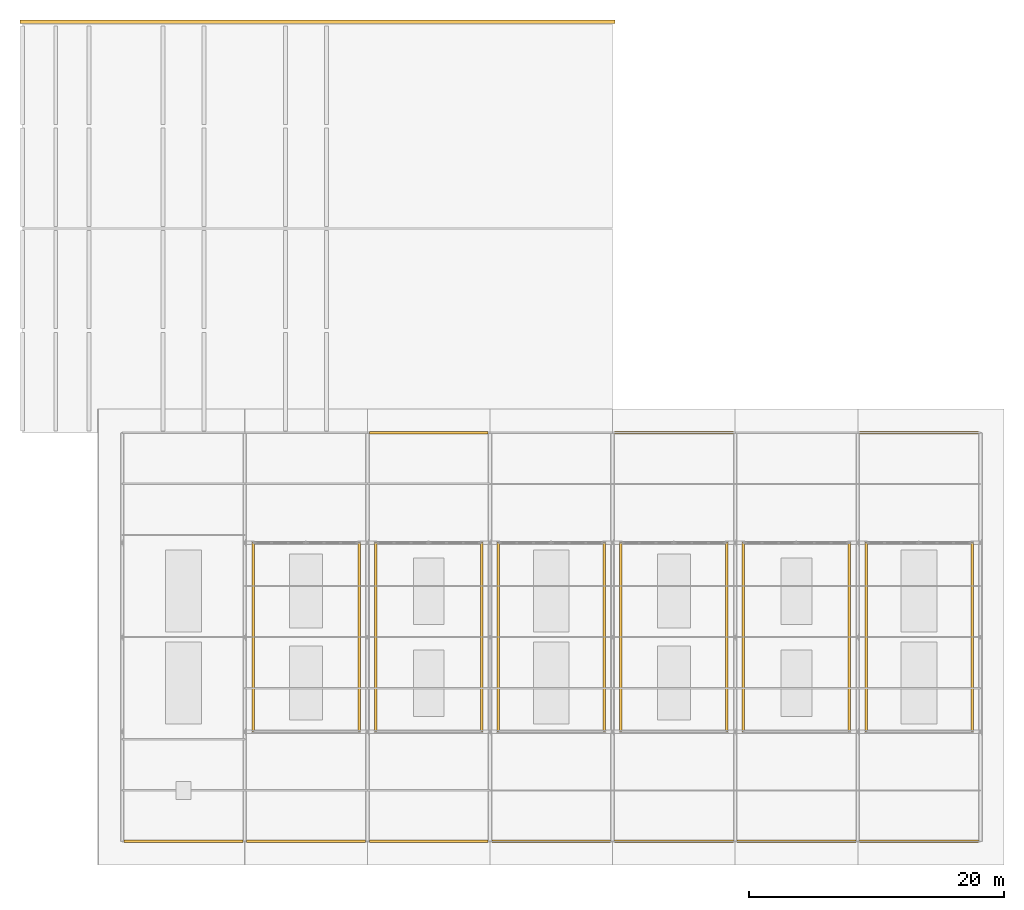
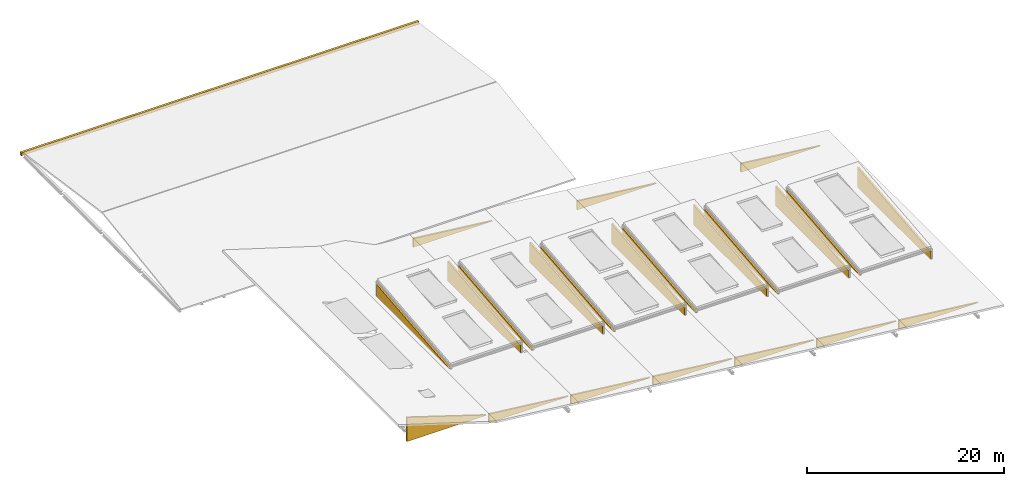
# One storey, part 30 of 30: 23 coverings.
"""IFC4 building model written with IfcOpenShell, lengths in metres."""

from ifc_helpers import new_model, si_unit, direction, frame, frame_2d, origin, place, context, subcontext, project, spatial, polyline, rectangle, outline, extrude, material, layer, layer_set, type_object, element, save


model = new_model("IFC4")

# Units and contexts
model_context = context("Model", 3, precision=1e-05, world=origin(), true_north=direction((0.0, 1.0)))
body_context = subcontext(model_context, "Body", "Model", "MODEL_VIEW")
ifc_project = project(units=[si_unit("LENGTHUNIT", "METRE"), si_unit("AREAUNIT", "SQUARE_METRE"), si_unit("VOLUMEUNIT", "CUBIC_METRE"), si_unit("PLANEANGLEUNIT", "RADIAN"), si_unit("MASSUNIT", "GRAM", prefix="KILO")], contexts=[model_context])

# Site, building, storey
site_placement = place(None, origin())
site = spatial("IfcSite", under=ifc_project, at=site_placement, CompositionType="ELEMENT")
building_placement = place(site_placement, origin())
building = spatial("IfcBuilding", under=site, at=building_placement, Name="Alderhovde Museum", CompositionType="ELEMENT")
storey_placement = place(building_placement, frame((0.0, 0.0, 30.699951171875)))
storey = spatial("IfcBuildingStorey", under=building, at=storey_placement, Name="RF", CompositionType="ELEMENT", Elevation=30.699951171875)

# Coverings
ifc_material_1 = material(Name="Pre-Weathered Dark Zinc Sawtooth Cladding")
ifc_layer_1 = layer(ifc_material_1, 0.199951171875)
ifc_layer_set_1 = layer_set([ifc_layer_1], Name="Pre-Weathered Dark Zinc Sawtooth Cladding")
covering_type_1 = type_object("IfcCoveringType", Name="COV-CHEEK-ZINC", PredefinedType="CLADDING", material=ifc_layer_set_1)
covering_1_placement = place(storey_placement, frame((9.75, 48.0, -1.58984375), z_axis=(0.0, 0.0, 1.0), x_axis=(1.0, 0.0, 0.0)))
element("IfcCovering", 1, at=covering_1_placement, inside=storey, type_object=covering_type_1, Name="Folded Wing Sloped Eaves Cladding 1", PredefinedType="CLADDING", context=body_context, shape_type="SweptSolid", body=[
    extrude(outline(polyline([(0.0, 0.0), (9.300048828125, 0.0), (9.300048828125, 0.039794921875), (0.0, 3.010009765625), (0.0, 0.0)])), frame((0.0, 0.10009765625, 0.0), z_axis=(0.0, -1.0, 0.0), x_axis=(1.0, 0.0, 0.0)), (0.0, 0.0, 1.0), 0.199951171875),
])
covering_2_placement = place(storey_placement, frame((19.35009765625, 48.0, -2.6279296875), z_axis=(0.0, 0.0, 1.0), x_axis=(1.0, 0.0, 0.0)))
element("IfcCovering", 2, at=covering_2_placement, inside=storey, type_object=covering_type_1, Name="Folded Wing Sloped Eaves Cladding 2", PredefinedType="CLADDING", context=body_context, shape_type="SweptSolid", body=[
    extrude(outline(polyline([(0.0, 0.0), (9.2998046875, 0.0), (9.300048828125, 0.0400390625), (0.0, 1.077880859375), (0.0, 0.0)])), frame((0.0, 0.10009765625, 0.0), z_axis=(0.0, -1.0, 0.0), x_axis=(1.0, 0.0, 0.0)), (0.0, 0.0, 1.0), 0.199951171875),
])
covering_3_placement = place(storey_placement, frame((28.949951171875, 48.0, -3.6669921875), z_axis=(0.0, 0.0, 1.0), x_axis=(1.0, 0.0, 0.0)))
element("IfcCovering", 3, at=covering_3_placement, inside=storey, type_object=covering_type_1, Name="Folded Wing Sloped Eaves Cladding 3", PredefinedType="CLADDING", context=body_context, shape_type="SweptSolid", body=[
    extrude(outline(polyline([(0.0, 0.0), (9.300048828125, 0.0), (9.300048828125, 0.0400390625), (0.0, 1.0791015625), (0.0, 0.0)])), frame((0.0, 0.10009765625, 0.0), z_axis=(0.0, -1.0, 0.0), x_axis=(1.0, 0.0, 0.0)), (0.0, 0.0, 1.0), 0.199951171875),
])
covering_4_placement = place(storey_placement, frame((38.550048828125, 48.0, -4.704833984375), z_axis=(0.0, 0.0, 1.0), x_axis=(1.0, 0.0, 0.0)))
element("IfcCovering", 4, at=covering_4_placement, inside=storey, type_object=covering_type_1, Name="Folded Wing Sloped Eaves Cladding 4", PredefinedType="CLADDING", context=body_context, shape_type="SweptSolid", body=[
    extrude(outline(polyline([(0.0, 0.0), (9.300048828125, 0.0), (9.300048828125, 0.039794921875), (0.0, 1.077880859375), (0.0, 0.0)])), frame((0.0, 0.10009765625, 0.0), z_axis=(0.0, -1.0, 0.0), x_axis=(1.0, 0.0, 0.0)), (0.0, 0.0, 1.0), 0.199951171875),
])
covering_5_placement = place(storey_placement, frame((48.14990234375, 48.0, -5.742919921875), z_axis=(0.0, 0.0, 1.0), x_axis=(1.0, 0.0, 0.0)))
element("IfcCovering", 5, at=covering_5_placement, inside=storey, type_object=covering_type_1, Name="Folded Wing Sloped Eaves Cladding 5", PredefinedType="CLADDING", context=body_context, shape_type="SweptSolid", body=[
    extrude(outline(polyline([(0.0, 0.0), (9.300048828125, 0.0), (9.300048828125, 0.0400390625), (0.0, 1.077880859375), (0.0, 0.0)])), frame((0.0, 0.10009765625, 0.0), z_axis=(0.0, -1.0, 0.0), x_axis=(1.0, 0.0, 0.0)), (0.0, 0.0, 1.0), 0.199951171875),
])
covering_6_placement = place(storey_placement, frame((57.75, 48.0, -6.781982421875), z_axis=(0.0, 0.0, 1.0), x_axis=(1.0, 0.0, 0.0)))
element("IfcCovering", 6, at=covering_6_placement, inside=storey, type_object=covering_type_1, Name="Folded Wing Sloped Eaves Cladding 6", PredefinedType="CLADDING", context=body_context, shape_type="SweptSolid", body=[
    extrude(outline(polyline([(0.0, 0.0), (9.300048828125, 0.0), (9.300048828125, 0.0400390625), (0.0, 1.0791015625), (0.0, 0.0)])), frame((0.0, 0.10009765625, 0.0), z_axis=(0.0, -1.0, 0.0), x_axis=(1.0, 0.0, 0.0)), (0.0, 0.0, 1.0), 0.199951171875),
])
covering_7_placement = place(storey_placement, frame((67.35009765625, 48.0, -7.820068359375), z_axis=(0.0, 0.0, 1.0), x_axis=(1.0, 0.0, 0.0)))
element("IfcCovering", 7, at=covering_7_placement, inside=storey, type_object=covering_type_1, Name="Folded Wing Sloped Eaves Cladding 7", PredefinedType="CLADDING", context=body_context, shape_type="SweptSolid", body=[
    extrude(outline(polyline([(0.0, 0.0), (9.2998046875, 0.0), (9.300048828125, 0.0400390625), (0.0, 1.078125), (0.0, 0.0)])), frame((0.0, 0.10009765625, 0.0), z_axis=(0.0, -1.0, 0.0), x_axis=(1.0, 0.0, 0.0)), (0.0, 0.0, 1.0), 0.199951171875),
])
covering_8_placement = place(storey_placement, frame((28.949951171875, 80.0, -3.6669921875), z_axis=(0.0, 0.0, 1.0), x_axis=(1.0, 0.0, 0.0)))
element("IfcCovering", 8, at=covering_8_placement, inside=storey, type_object=covering_type_1, Name="Folded Wing Sloped Eaves Cladding 8", PredefinedType="CLADDING", context=body_context, shape_type="SweptSolid", body=[
    extrude(outline(polyline([(0.0, 0.0), (9.300048828125, 0.0), (9.300048828125, 0.0400390625), (0.0, 1.0791015625), (0.0, 0.0)])), frame((0.0, 0.10009765625, 0.0), z_axis=(0.0, -1.0, 0.0), x_axis=(1.0, 0.0, 0.0)), (0.0, 0.0, 1.0), 0.199951171875),
])
covering_9_placement = place(storey_placement, frame((48.14990234375, 80.0, -5.742919921875), z_axis=(0.0, 0.0, 1.0), x_axis=(1.0, 0.0, 0.0)))
element("IfcCovering", 9, at=covering_9_placement, inside=storey, type_object=covering_type_1, Name="Folded Wing Sloped Eaves Cladding 9", PredefinedType="CLADDING", context=body_context, shape_type="SweptSolid", body=[
    extrude(outline(polyline([(0.0, 0.0), (9.300048828125, 0.0), (9.300048828125, 0.0400390625), (0.0, 1.077880859375), (0.0, 0.0)])), frame((0.0, 0.10009765625, 0.0), z_axis=(0.0, -1.0, 0.0), x_axis=(1.0, 0.0, 0.0)), (0.0, 0.0, 1.0), 0.199951171875),
])
covering_10_placement = place(storey_placement, frame((67.35009765625, 80.0, -7.820068359375), z_axis=(0.0, 0.0, 1.0), x_axis=(1.0, 0.0, 0.0)))
element("IfcCovering", 10, at=covering_10_placement, inside=storey, type_object=covering_type_1, Name="Folded Wing Sloped Eaves Cladding 10", PredefinedType="CLADDING", context=body_context, shape_type="SweptSolid", body=[
    extrude(outline(polyline([(0.0, 0.0), (9.2998046875, 0.0), (9.300048828125, 0.0400390625), (0.0, 1.078125), (0.0, 0.0)])), frame((0.0, 0.10009765625, 0.0), z_axis=(0.0, -1.0, 0.0), x_axis=(1.0, 0.0, 0.0)), (0.0, 0.0, 1.0), 0.199951171875),
])
covering_11_placement = place(storey_placement, frame((19.85009765625, 56.60009765625, -1.43994140625), z_axis=(0.0, 0.0, 1.0), x_axis=(0.0, 1.0, 0.0)))
element("IfcCovering", 11, at=covering_11_placement, inside=storey, type_object=covering_type_1, Name="Sawtooth Wedge West Cheek Bay 2 14", PredefinedType="CLADDING", context=body_context, shape_type="SweptSolid", body=[
    extrude(outline(polyline([(0.0, 0.0), (14.7998046875, 0.0), (14.800048828125, 1.550048828125), (0.0, 0.070068359375), (0.0, 0.0)])), frame((0.0, 0.10009765625, 0.0), z_axis=(0.0, -1.0, 0.0), x_axis=(1.0, 0.0, 0.0)), (0.0, 0.0, 1.0), 0.199951171875),
])
covering_12_placement = place(storey_placement, frame((28.14990234375, 56.60009765625, -2.337890625), z_axis=(0.0, 0.0, 1.0), x_axis=(0.0, 1.0, 0.0)))
element("IfcCovering", 12, at=covering_12_placement, inside=storey, type_object=covering_type_1, Name="Sawtooth Wedge East Cheek Bay 2 15", PredefinedType="CLADDING", context=body_context, shape_type="SweptSolid", body=[
    extrude(outline(polyline([(0.0, 0.0), (14.7998046875, 0.0), (14.800048828125, 2.447998046875), (0.0, 0.968017578125), (0.0, 0.0)])), frame((0.0, 0.10009765625, 0.0), z_axis=(0.0, -1.0, 0.0), x_axis=(1.0, 0.0, 0.0)), (0.0, 0.0, 1.0), 0.199951171875),
])
covering_13_placement = place(storey_placement, frame((29.449951171875, 56.60009765625, -2.47900390625), z_axis=(0.0, 0.0, 1.0), x_axis=(0.0, 1.0, 0.0)))
element("IfcCovering", 13, at=covering_13_placement, inside=storey, type_object=covering_type_1, Name="Sawtooth Wedge West Cheek Bay 3 16", PredefinedType="CLADDING", context=body_context, shape_type="SweptSolid", body=[
    extrude(outline(polyline([(0.0, 0.0), (14.7998046875, 0.0), (14.800048828125, 1.551025390625), (0.0, 0.071044921875), (0.0, 0.0)])), frame((0.0, 0.10009765625, 0.0), z_axis=(0.0, -1.0, 0.0), x_axis=(1.0, 0.0, 0.0)), (0.0, 0.0, 1.0), 0.199951171875),
])
covering_14_placement = place(storey_placement, frame((37.75, 56.60009765625, -3.3759765625), z_axis=(0.0, 0.0, 1.0), x_axis=(0.0, 1.0, 0.0)))
element("IfcCovering", 14, at=covering_14_placement, inside=storey, type_object=covering_type_1, Name="Sawtooth Wedge East Cheek Bay 3 17", PredefinedType="CLADDING", context=body_context, shape_type="SweptSolid", body=[
    extrude(outline(polyline([(0.0, 0.0), (14.7998046875, 0.0), (14.800048828125, 2.447998046875), (0.0, 0.968017578125), (0.0, 0.0)])), frame((0.0, 0.10009765625, 0.0), z_axis=(0.0, -1.0, 0.0), x_axis=(1.0, 0.0, 0.0)), (0.0, 0.0, 1.0), 0.199951171875),
])
covering_15_placement = place(storey_placement, frame((39.050048828125, 56.60009765625, -3.516845703125), z_axis=(0.0, 0.0, 1.0), x_axis=(0.0, 1.0, 0.0)))
element("IfcCovering", 15, at=covering_15_placement, inside=storey, type_object=covering_type_1, Name="Sawtooth Wedge West Cheek Bay 4 18", PredefinedType="CLADDING", context=body_context, shape_type="SweptSolid", body=[
    extrude(outline(polyline([(0.0, 0.0), (14.7998046875, 0.0), (14.800048828125, 1.5498046875), (0.0, 0.06982421875), (0.0, 0.0)])), frame((0.0, 0.10009765625, 0.0), z_axis=(0.0, -1.0, 0.0), x_axis=(1.0, 0.0, 0.0)), (0.0, 0.0, 1.0), 0.199951171875),
])
covering_16_placement = place(storey_placement, frame((47.35009765625, 56.60009765625, -4.4150390625), z_axis=(0.0, 0.0, 1.0), x_axis=(0.0, 1.0, 0.0)))
element("IfcCovering", 16, at=covering_16_placement, inside=storey, type_object=covering_type_1, Name="Sawtooth Wedge East Cheek Bay 4 19", PredefinedType="CLADDING", context=body_context, shape_type="SweptSolid", body=[
    extrude(outline(polyline([(0.0, 0.0), (14.7998046875, 0.0), (14.800048828125, 2.447998046875), (0.0, 0.968017578125), (0.0, 0.0)])), frame((0.0, 0.10009765625, 0.0), z_axis=(0.0, -1.0, 0.0), x_axis=(1.0, 0.0, 0.0)), (0.0, 0.0, 1.0), 0.199951171875),
])
covering_17_placement = place(storey_placement, frame((48.64990234375, 56.60009765625, -4.554931640625), z_axis=(0.0, 0.0, 1.0), x_axis=(0.0, 1.0, 0.0)))
element("IfcCovering", 17, at=covering_17_placement, inside=storey, type_object=covering_type_1, Name="Sawtooth Wedge West Cheek Bay 5 20", PredefinedType="CLADDING", context=body_context, shape_type="SweptSolid", body=[
    extrude(outline(polyline([(0.0, 0.0), (14.7998046875, 0.0), (14.800048828125, 1.550048828125), (0.0, 0.070068359375), (0.0, 0.0)])), frame((0.0, 0.10009765625, 0.0), z_axis=(0.0, -1.0, 0.0), x_axis=(1.0, 0.0, 0.0)), (0.0, 0.0, 1.0), 0.199951171875),
])
covering_18_placement = place(storey_placement, frame((56.949951171875, 56.60009765625, -5.452880859375), z_axis=(0.0, 0.0, 1.0), x_axis=(0.0, 1.0, 0.0)))
element("IfcCovering", 18, at=covering_18_placement, inside=storey, type_object=covering_type_1, Name="Sawtooth Wedge East Cheek Bay 5 21", PredefinedType="CLADDING", context=body_context, shape_type="SweptSolid", body=[
    extrude(outline(polyline([(0.0, 0.0), (14.7998046875, 0.0), (14.800048828125, 2.447998046875), (0.0, 0.968017578125), (0.0, 0.0)])), frame((0.0, 0.10009765625, 0.0), z_axis=(0.0, -1.0, 0.0), x_axis=(1.0, 0.0, 0.0)), (0.0, 0.0, 1.0), 0.199951171875),
])
covering_19_placement = place(storey_placement, frame((58.25, 56.60009765625, -5.593994140625), z_axis=(0.0, 0.0, 1.0), x_axis=(0.0, 1.0, 0.0)))
element("IfcCovering", 19, at=covering_19_placement, inside=storey, type_object=covering_type_1, Name="Sawtooth Wedge West Cheek Bay 6 22", PredefinedType="CLADDING", context=body_context, shape_type="SweptSolid", body=[
    extrude(outline(polyline([(0.0, 0.0), (14.7998046875, 0.0), (14.800048828125, 1.551025390625), (0.0, 0.071044921875), (0.0, 0.0)])), frame((0.0, 0.10009765625, 0.0), z_axis=(0.0, -1.0, 0.0), x_axis=(1.0, 0.0, 0.0)), (0.0, 0.0, 1.0), 0.199951171875),
])
covering_20_placement = place(storey_placement, frame((66.550048828125, 56.60009765625, -6.490966796875), z_axis=(0.0, 0.0, 1.0), x_axis=(0.0, 1.0, 0.0)))
element("IfcCovering", 20, at=covering_20_placement, inside=storey, type_object=covering_type_1, Name="Sawtooth Wedge East Cheek Bay 6 23", PredefinedType="CLADDING", context=body_context, shape_type="SweptSolid", body=[
    extrude(outline(polyline([(0.0, 0.0), (14.7998046875, 0.0), (14.800048828125, 2.447998046875), (0.0, 0.968017578125), (0.0, 0.0)])), frame((0.0, 0.10009765625, 0.0), z_axis=(0.0, -1.0, 0.0), x_axis=(1.0, 0.0, 0.0)), (0.0, 0.0, 1.0), 0.199951171875),
])
covering_21_placement = place(storey_placement, frame((67.85009765625, 56.60009765625, -6.6318359375), z_axis=(0.0, 0.0, 1.0), x_axis=(0.0, 1.0, 0.0)))
element("IfcCovering", 21, at=covering_21_placement, inside=storey, type_object=covering_type_1, Name="Sawtooth Wedge West Cheek Bay 7 24", PredefinedType="CLADDING", context=body_context, shape_type="SweptSolid", body=[
    extrude(outline(polyline([(0.0, 0.0), (14.7998046875, 0.0), (14.800048828125, 1.5498046875), (0.0, 0.06982421875), (0.0, 0.0)])), frame((0.0, 0.10009765625, 0.0), z_axis=(0.0, -1.0, 0.0), x_axis=(1.0, 0.0, 0.0)), (0.0, 0.0, 1.0), 0.199951171875),
])
covering_22_placement = place(storey_placement, frame((76.14990234375, 56.60009765625, -7.530029296875), z_axis=(0.0, 0.0, 1.0), x_axis=(0.0, 1.0, 0.0)))
element("IfcCovering", 22, at=covering_22_placement, inside=storey, type_object=covering_type_1, Name="Sawtooth Wedge East Cheek Bay 7 25", PredefinedType="CLADDING", context=body_context, shape_type="SweptSolid", body=[
    extrude(outline(polyline([(0.0, 0.0), (14.7998046875, 0.0), (14.800048828125, 2.447998046875), (0.0, 0.968017578125), (0.0, 0.0)])), frame((0.0, 0.10009765625, 0.0), z_axis=(0.0, -1.0, 0.0), x_axis=(1.0, 0.0, 0.0)), (0.0, 0.0, 1.0), 0.199951171875),
])
ifc_material_2 = material(Name="Carved Jura Limestone Classical Cornice Moulding", Category="masonry")
ifc_layer_2 = layer(ifc_material_2, 0.280029296875)
ifc_layer_set_2 = layer_set([ifc_layer_2], Name="Carved Jura Limestone Classical Cornice Moulding")
covering_type_2 = type_object("IfcCoveringType", Name="COV-CORNICE-STONE", PredefinedType="MOLDING", material=ifc_layer_set_2)
covering_23_placement = place(storey_placement, frame((1.60009765625, 112.179931640625, -2.25), z_axis=(0.0, 0.0, 1.0), x_axis=(1.0, 0.0, 0.0)))
element("IfcCovering", 23, at=covering_23_placement, inside=storey, type_object=covering_type_2, Name="RF Classical Beaux-Arts Limestone Cornice 14", PredefinedType="MOLDING", context=body_context, shape_type="SweptSolid", body=[
    extrude(rectangle(XDim=46.599853515625, YDim=0.280029296875, at=frame_2d((23.2998046875, 0.0))), origin(), (0.0, 0.0, 1.0), 0.35009765625),
])

save(model, "model.ifc")
